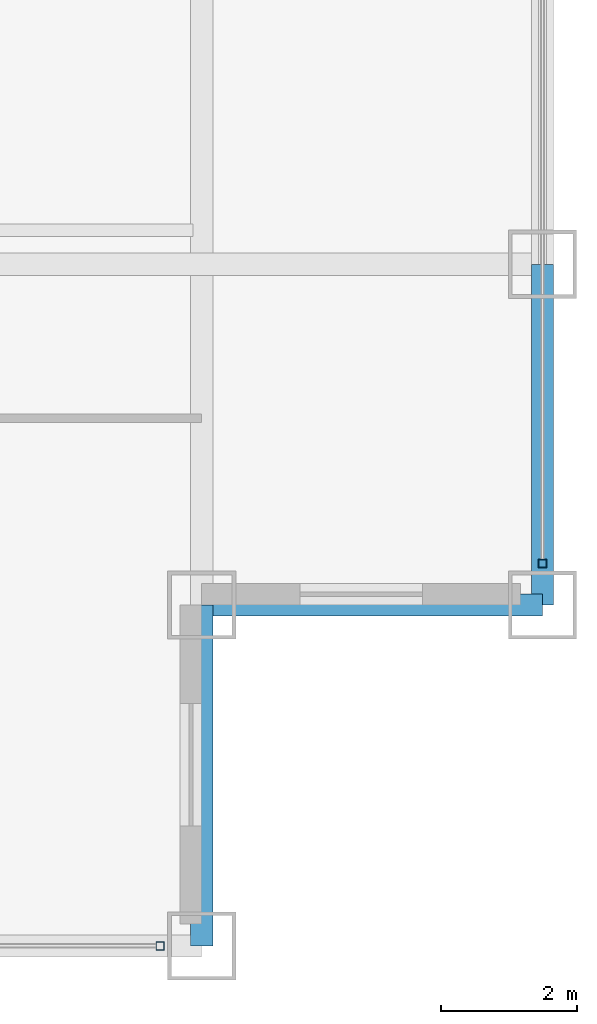
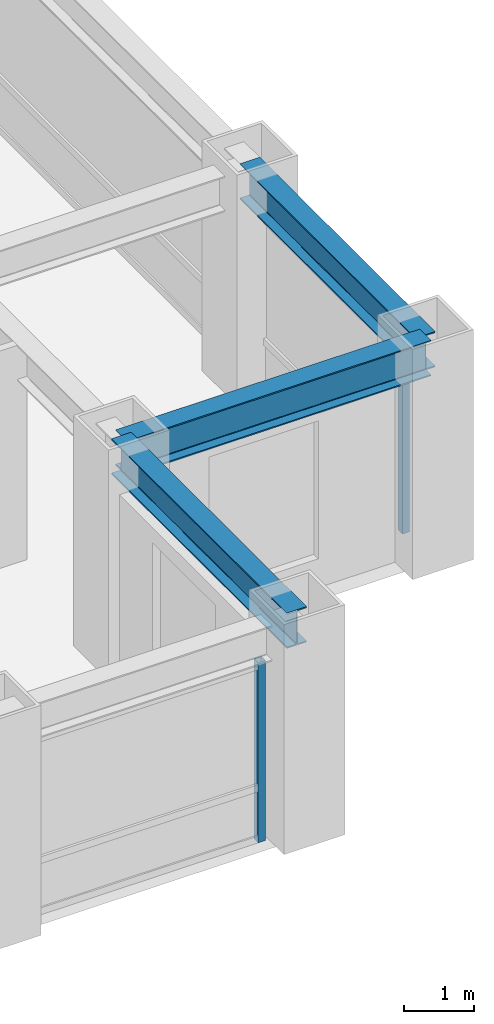
# One storey, part 8 of 24: 3 beams, 2 members, 2 elements without a shape of their own.
"""IFC4 building model written with IfcOpenShell, lengths in metres."""

from ifc_helpers import new_model, si_unit, direction, frame, origin, origin_2d, place, context, subcontext, project, spatial, hollow_rectangle, i_section, extrude, source, transform, mapped, material, material_profile, profile_set, type_object, element, aggregate, save


model = new_model("IFC4")

# Units and contexts
model_context = context("Model", 3, precision=1e-05, world=origin(), true_north=direction((0.0, 1.0)))
body_context = subcontext(model_context, "Body", "Model", "MODEL_VIEW")
ifc_project = project(units=[si_unit("LENGTHUNIT", "METRE"), si_unit("AREAUNIT", "SQUARE_METRE"), si_unit("VOLUMEUNIT", "CUBIC_METRE"), si_unit("PLANEANGLEUNIT", "RADIAN"), si_unit("MASSUNIT", "GRAM", prefix="KILO")], contexts=[model_context])

# Site, building, storey
site_placement = place(None, origin())
site = spatial("IfcSite", under=ifc_project, at=site_placement, CompositionType="ELEMENT")
building_placement = place(site_placement, origin())
building = spatial("IfcBuilding", under=site, at=building_placement, Name="Khorayat Bourse Tower", CompositionType="ELEMENT")
storey_placement = place(building_placement, frame((0.0, 0.0, 215.10009765625)))
storey = spatial("IfcBuildingStorey", under=building, at=storey_placement, Name="L50", CompositionType="ELEMENT", Elevation=215.10009765625)

# Beams
ifc_material_1 = material(Name="Steel ASTM A992 Grade 50", Category="steel")
ifc_material_profile_1 = material_profile(ifc_material_1, i_section(OverallWidth=0.324951171875, OverallDepth=0.615966796875, WebThickness=0.013916015625, FlangeThickness=0.021484375, FilletRadius=0.01611328125, at=origin_2d()), Name="W610X174")
ifc_profile_set_1 = profile_set([ifc_material_profile_1], Name="Steel ASTM A992 Grade 50")
beam_type = type_object("IfcBeamType", Name="BM-SPAN-610", PredefinedType="SPANDREL", material=ifc_profile_set_1)
shared_shape_1 = source(origin(), body_context, "Body", "SweptSolid", [
    extrude(i_section(OverallWidth=0.324951171875, OverallDepth=0.615966796875, WebThickness=0.013916015625, FlangeThickness=0.021484375, FilletRadius=0.01611328125, at=origin_2d()), origin(), (0.0, 0.0, 1.0), 5.0),
])
for number, where, z_axis, x_axis, name in (
    (1, (25.0, -30.0, 3.471923828125), (0.0, 1.0, 0.0), (-1.0, 0.0, 0.0), "L50 BM-SPAN-610 BM-L50-SPN-032"),
    (2, (25.0, -25.0, 3.471923828125), (1.0, 0.0, 0.0), (0.0, 1.0, 0.0), "L50 BM-SPAN-610 BM-L50-SPN-033"),
    (3, (30.0, -25.0, 3.471923828125), (0.0, 1.0, 0.0), (-1.0, 0.0, 0.0), "L50 BM-SPAN-610 BM-L50-SPN-034"),
):
    element("IfcBeam", number, at=place(storey_placement, frame(where, z_axis=z_axis, x_axis=x_axis)), inside=storey, type_object=beam_type, Name=name, PredefinedType="SPANDREL", context=body_context, shape_type="MappedRepresentation", body=[
        mapped(shared_shape_1, transform((0.0, 0.0, 0.0), scale=1.0)),
    ])

# Curtain wall, member
ifc_material_2 = material(Name="Aluminium EN AW-6063 T6", Category="aluminium")
curtain_wall_type = type_object("IfcCurtainWallType", Name="CW-SYS-03", PredefinedType="NOTDEFINED", material=ifc_material_2)
curtain_wall_1_placement = place(storey_placement, origin())
curtain_wall_1 = element("IfcCurtainWall", 4, at=curtain_wall_1_placement, inside=storey, type_object=curtain_wall_type, Name="L50 Curtain Wall CW-L50-S1", PredefinedType="NOTDEFINED")
ifc_material_profile_2 = material_profile(ifc_material_2, hollow_rectangle(XDim=0.1201171875, YDim=0.1201171875, WallThickness=0.0048828125, at=origin_2d()), Name="ALU 120x120x5")
ifc_profile_set_2 = profile_set([ifc_material_profile_2], Name="Aluminium EN AW-6063 T6")
member_type = type_object("IfcMemberType", Name="CWM-VERT-120", PredefinedType="MULLION", material=ifc_profile_set_2)
shared_shape_2 = source(origin(), body_context, "Body", "SweptSolid", [
    extrude(hollow_rectangle(XDim=0.1201171875, YDim=0.1201171875, WallThickness=0.0048828125, at=origin_2d()), origin(), (0.0, 0.0, 1.0), 3.1298828125),
])
member_1_placement = place(storey_placement, frame((24.389892578125, -30.0, 0.0), z_axis=(0.0, 0.0, 1.0), x_axis=(0.0, 1.0, 0.0)))
member_1 = element("IfcMember", 5, at=member_1_placement, type_object=member_type, Name="CW-L50-S1 Vertical Mullion 3", PredefinedType="MULLION", context=body_context, shape_type="MappedRepresentation", body=[
    mapped(shared_shape_2, transform((0.0, 0.0, 0.0), scale=1.0)),
])
aggregate(curtain_wall_1, [member_1])

curtain_wall_2_placement = place(storey_placement, origin())
curtain_wall_2 = element("IfcCurtainWall", 6, at=curtain_wall_2_placement, inside=storey, type_object=curtain_wall_type, Name="L50 Curtain Wall CW-L50-E1", PredefinedType="NOTDEFINED")
member_2_placement = place(storey_placement, frame((30.0, -24.389892578125, 0.0), z_axis=(0.0, 0.0, 1.0), x_axis=(-1.0, 0.0, 0.0)))
member_2 = element("IfcMember", 7, at=member_2_placement, type_object=member_type, Name="CW-L50-E1 Vertical Mullion 1", PredefinedType="MULLION", context=body_context, shape_type="MappedRepresentation", body=[
    mapped(shared_shape_2, transform((0.0, 0.0, 0.0), scale=1.0)),
])
aggregate(curtain_wall_2, [member_2])

save(model, "model.ifc")
